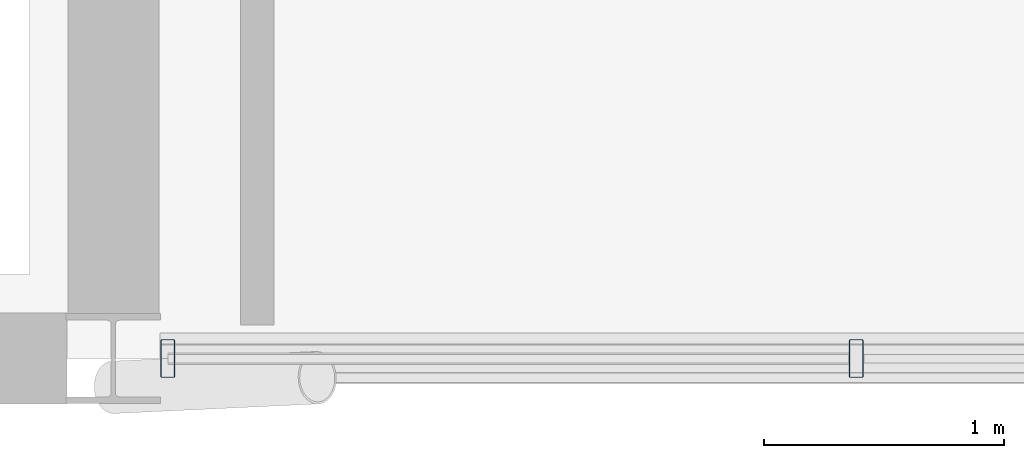
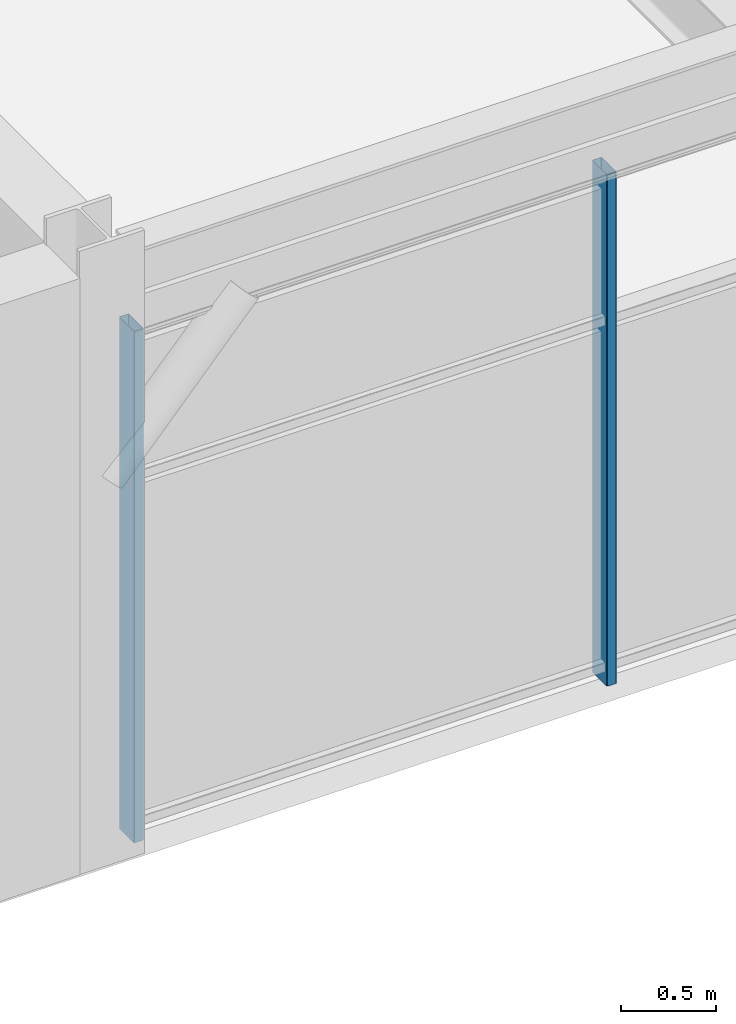
# One storey, part 16 of 51: 2 members, 1 element without a shape of its own.
"""IFC4 building model written with IfcOpenShell, lengths in metres."""

from ifc_helpers import new_model, si_unit, direction, frame, origin, origin_2d, place, context, subcontext, project, spatial, hollow_rectangle, extrude, material, material_profile, profile_set, type_object, element, aggregate, save


model = new_model("IFC4")

# Units and contexts
model_context = context("Model", 3, precision=1e-05, world=origin(), true_north=direction((0.0, 1.0)))
body_context = subcontext(model_context, "Body", "Model", "MODEL_VIEW")
ifc_project = project(units=[si_unit("LENGTHUNIT", "METRE"), si_unit("AREAUNIT", "SQUARE_METRE"), si_unit("VOLUMEUNIT", "CUBIC_METRE"), si_unit("PLANEANGLEUNIT", "RADIAN"), si_unit("MASSUNIT", "GRAM", prefix="KILO")], contexts=[model_context])

# Site, building, storey
site_placement = place(None, origin())
site = spatial("IfcSite", under=ifc_project, at=site_placement, CompositionType="ELEMENT")
building_placement = place(site_placement, origin())
building = spatial("IfcBuilding", under=site, at=building_placement, Name="Girod Span Mobility Hub", CompositionType="ELEMENT")
storey_placement = place(building_placement, frame((0.0, 0.0, 41.60009765625)))
storey = spatial("IfcBuildingStorey", under=building, at=storey_placement, Name="L10", CompositionType="ELEMENT", Elevation=41.60009765625)

# Curtain wall, members
ifc_material_1 = material(Name="Thermally Broken Anodised Aluminium", Category="aluminium")
curtain_wall_type = type_object("IfcCurtainWallType", Name="CW-1161X328", PredefinedType="USERDEFINED", material=ifc_material_1)
curtain_wall_placement = place(storey_placement, origin())
curtain_wall = element("IfcCurtainWall", 1, at=curtain_wall_placement, inside=storey, type_object=curtain_wall_type, Name="Unitised Curtain Wall CW-L10-S08 L10", ObjectType="UNITISED CURTAIN WALL", PredefinedType="USERDEFINED")
ifc_material_2 = material(Name="Thermally Broken Anodised Aluminium", Category="aluminium")
ifc_material_profile = material_profile(ifc_material_2, hollow_rectangle(XDim=0.159912109375, YDim=0.06005859375, WallThickness=0.00341796875, InnerFilletRadius=0.00341796875, OuterFilletRadius=0.007080078125, at=origin_2d()), Name="CW-ML-60X160")
ifc_profile_set = profile_set([ifc_material_profile], Name="Thermally Broken Anodised Aluminium")
member_type = type_object("IfcMemberType", Name="CWM-ML-3", PredefinedType="MULLION", material=ifc_profile_set)
member_1_placement = place(storey_placement, frame((84.22705078125, 27.0, 0.0), z_axis=(0.0, 0.0, 1.0), x_axis=(0.0, 1.0, 0.0)))
member_1 = element("IfcMember", 2, at=member_1_placement, type_object=member_type, Name="Curtain Wall Mullion CW-L10-S08-M0", PredefinedType="MULLION", context=body_context, shape_type="SweptSolid", body=[
    extrude(hollow_rectangle(XDim=0.159912109375, YDim=0.06005859375, WallThickness=0.00341796875, InnerFilletRadius=0.00341796875, OuterFilletRadius=0.007080078125, at=origin_2d()), origin(), (0.0, 0.0, 1.0), 3.281005859375),
])
member_2_placement = place(storey_placement, frame((87.097412109375, 27.0, 0.0), z_axis=(0.0, 0.0, 1.0), x_axis=(0.0, 1.0, 0.0)))
member_2 = element("IfcMember", 3, at=member_2_placement, type_object=member_type, Name="Curtain Wall Mullion CW-L10-S08-M1", PredefinedType="MULLION", context=body_context, shape_type="SweptSolid", body=[
    extrude(hollow_rectangle(XDim=0.159912109375, YDim=0.06005859375, WallThickness=0.00341796875, InnerFilletRadius=0.00341796875, OuterFilletRadius=0.007080078125, at=origin_2d()), origin(), (0.0, 0.0, 1.0), 3.281005859375),
])
aggregate(curtain_wall, [member_1, member_2])

save(model, "model.ifc")
